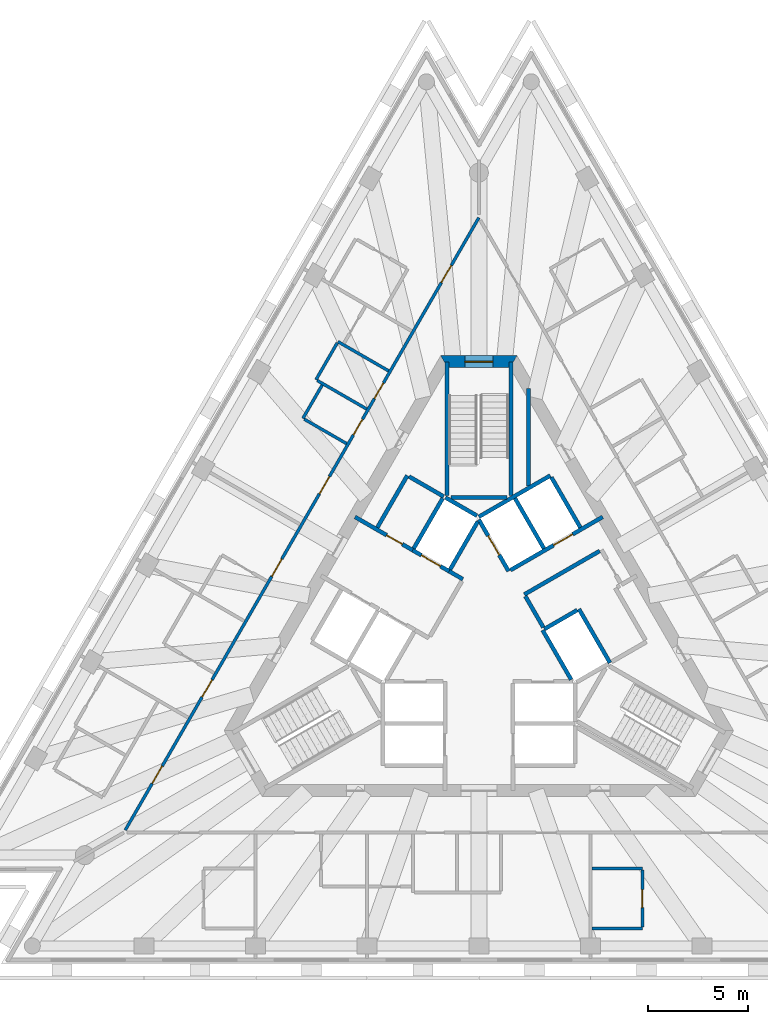
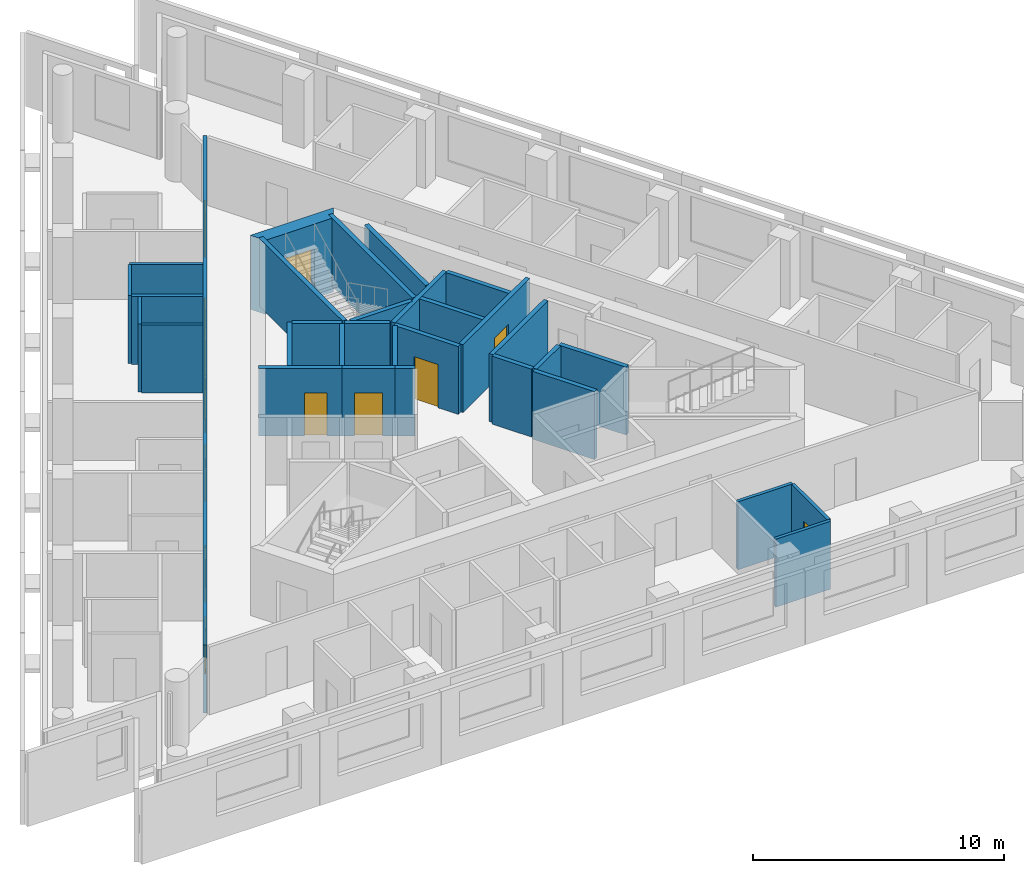
# One storey, part 5 of 10: 32 walls, 13 doors, 13 openings.
"""IFC4 building model written with IfcOpenShell, lengths in metres."""

from ifc_helpers import new_model, si_unit, direction, frame, frame_2d, origin, place, context, subcontext, project, spatial, polyline, rectangle, outline, extrude, material, layer, layer_set, type_object, element, fill, save


model = new_model("IFC4")

# Units and contexts
model_context = context("Model", 3, precision=1e-05, world=origin(), true_north=direction((0.0, 1.0)))
body_context = subcontext(model_context, "Body", "Model", "MODEL_VIEW")
ifc_project = project(units=[si_unit("LENGTHUNIT", "METRE"), si_unit("AREAUNIT", "SQUARE_METRE"), si_unit("VOLUMEUNIT", "CUBIC_METRE"), si_unit("PLANEANGLEUNIT", "RADIAN"), si_unit("MASSUNIT", "GRAM", prefix="KILO")], contexts=[model_context])

# Site, building, storey
site_placement = place(None, origin())
site = spatial("IfcSite", under=ifc_project, at=site_placement, CompositionType="ELEMENT")
building_placement = place(site_placement, origin())
building = spatial("IfcBuilding", under=site, at=building_placement, Name="Triada Interchange Tower", CompositionType="ELEMENT")
storey_placement = place(building_placement, frame((0.0, 0.0, 275.5)))
storey = spatial("IfcBuildingStorey", under=building, at=storey_placement, Name="L64", CompositionType="ELEMENT", Elevation=275.5)

# Wall
ifc_material_1 = material(Name="Concrete C30/37", Category="concrete")
ifc_layer_1 = layer(ifc_material_1, 0.199951171875)
ifc_layer_set_1 = layer_set([ifc_layer_1], Name="CORE WALL 200 EI 120")
wall_type_1 = type_object("IfcWallType", Name="CORE WALL 200 EI 120", PredefinedType="SOLIDWALL", material=ifc_layer_set_1)
wall_1_placement = place(storey_placement, frame((-0.001953125, 5.541015625, 0.0), z_axis=(0.0, 0.0, 1.0), x_axis=(0.86600155993, 0.500041296494, 0.0)))
element("IfcWall", 1, at=wall_1_placement, inside=storey, type_object=wall_type_1, Name="Wall L62 76", PredefinedType="SOLIDWALL", context=body_context, shape_type="SweptSolid", body=[
    extrude(rectangle(XDim=4.131591796875, YDim=0.199951171875, at=frame_2d((2.06591796875, 0.0))), origin(), (0.0, 0.0, 1.0), 3.300048828125),
])

# Wall, opening, door
wall_2_placement = place(storey_placement, frame((0.0, 5.39990234375, 0.0), z_axis=(0.0, 0.0, 1.0), x_axis=(0.500103862429, -0.865965430478, 0.0)))
wall_2 = element("IfcWall", 2, at=wall_2_placement, inside=storey, type_object=wall_type_1, Name="Wall L62 77", PredefinedType="SOLIDWALL", context=body_context, shape_type="SweptSolid", body=[
    extrude(rectangle(XDim=2.973388671875, YDim=0.199951171875, at=frame_2d((1.48681640625, 0.0))), origin(), (0.0, 0.0, 1.0), 3.300048828125),
])
opening_1_placement = place(wall_2_placement, frame((0.93701171875, 0.0, 0.0)))
opening_1 = element("IfcOpeningElement", 3, at=opening_1_placement, cuts=wall_2, Name="Opening LD-HR5", PredefinedType="OPENING", context=body_context, shape_type="SweptSolid", body=[
    extrude(rectangle(XDim=1.10009765625, YDim=2.10009765625, at=frame_2d((0.550048828125, 1.050048828125))), frame((0.0, 0.10986328125, 0.0), z_axis=(0.0, -1.0, 0.0), x_axis=(1.0, 0.0, 0.0)), (0.0, 0.0, 1.0), 0.219970703125),
])
ifc_material_2 = material(Name="Steel S235 door leaf", Category="steel")
door_type_1 = type_object("IfcDoorType", Name="LIFT LANDING DOOR 1100 EI 120", OperationType="SLIDING_TO_LEFT", PredefinedType="DOOR", material=ifc_material_2)
door_1_placement = place(opening_1_placement, origin())
door_1 = element("IfcDoor", 4, at=door_1_placement, inside=storey, type_object=door_type_1, Name="HR5 landing door L64", OperationType="SLIDING_TO_LEFT", OverallHeight=2.10009765625, OverallWidth=1.10009765625, PredefinedType="DOOR", context=body_context, shape_type="SweptSolid", body=[
    extrude(rectangle(XDim=1.10009765625, YDim=2.10009765625, at=frame_2d((0.550048828125, 1.050048828125))), frame((0.0, 0.02490234375, 0.0), z_axis=(0.0, -1.0, 0.0), x_axis=(1.0, 0.0, 0.0)), (0.0, 0.0, 1.0), 0.050048828125),
])
fill(opening_1, door_1)

# Wall
wall_3_placement = place(storey_placement, frame((3.18994140625, -0.125, 0.0), z_axis=(0.0, 0.0, 1.0), x_axis=(0.499988658015, -0.866031951983, 0.0)))
element("IfcWall", 5, at=wall_3_placement, inside=storey, type_object=wall_type_1, Name="Wall L62 78", PredefinedType="SOLIDWALL", context=body_context, shape_type="SweptSolid", body=[
    extrude(rectangle(XDim=2.85791015625, YDim=0.199951171875, at=frame_2d((1.428955078125, 0.0))), origin(), (0.0, 0.0, 1.0), 3.300048828125),
])

# Wall, opening, door
wall_4_placement = place(storey_placement, frame((1.577880859375, 2.8740234375, 0.0), z_axis=(0.0, 0.0, 1.0), x_axis=(0.866045911672, 0.499964477614, 0.0)))
wall_4 = element("IfcWall", 6, at=wall_4_placement, inside=storey, type_object=wall_type_1, Name="Wall L62 79", PredefinedType="SOLIDWALL", context=body_context, shape_type="SweptSolid", body=[
    extrude(rectangle(XDim=5.32666015625, YDim=0.199951171875, at=frame_2d((2.663330078125, 0.0))), origin(), (0.0, 0.0, 1.0), 3.300048828125),
])
opening_2_placement = place(wall_4_placement, frame((2.49609375, 0.0, 0.0)))
opening_2 = element("IfcOpeningElement", 7, at=opening_2_placement, cuts=wall_4, Name="Opening LD-HR6", PredefinedType="OPENING", context=body_context, shape_type="SweptSolid", body=[
    extrude(rectangle(XDim=1.10009765625, YDim=2.10009765625, at=frame_2d((0.550048828125, 1.050048828125))), frame((0.0, 0.10986328125, 0.0), z_axis=(0.0, -1.0, 0.0), x_axis=(1.0, 0.0, 0.0)), (0.0, 0.0, 1.0), 0.219970703125),
])
door_2_placement = place(opening_2_placement, origin())
door_2 = element("IfcDoor", 8, at=door_2_placement, inside=storey, type_object=door_type_1, Name="HR6 landing door L64", OperationType="SLIDING_TO_LEFT", OverallHeight=2.10009765625, OverallWidth=1.10009765625, PredefinedType="DOOR", context=body_context, shape_type="SweptSolid", body=[
    extrude(rectangle(XDim=1.10009765625, YDim=2.10009765625, at=frame_2d((0.550048828125, 1.050048828125))), frame((0.0, 0.02490234375, 0.0), z_axis=(0.0, -1.0, 0.0), x_axis=(1.0, 0.0, 0.0)), (0.0, 0.0, 1.0), 0.050048828125),
])
fill(opening_2, door_2)

# Walls
wall_5_placement = place(storey_placement, frame((1.806884765625, 6.469970703125, 0.0), z_axis=(0.0, 0.0, 1.0), x_axis=(0.50012328804, -0.865954211699, 0.0)))
element("IfcWall", 9, at=wall_5_placement, inside=storey, type_object=wall_type_1, Name="Wall L62 83", PredefinedType="SOLIDWALL", context=body_context, shape_type="SweptSolid", body=[
    extrude(rectangle(XDim=2.899658203125, YDim=0.199951171875, at=frame_2d((1.44970703125, 0.0))), origin(), (0.0, 0.0, 1.0), 3.300048828125),
])
wall_6_placement = place(storey_placement, frame((5.007080078125, 0.927978515625, 0.0), z_axis=(0.0, 0.0, 1.0), x_axis=(0.499899694197, -0.866083307622, 0.0)))
element("IfcWall", 10, at=wall_6_placement, inside=storey, type_object=wall_type_1, Name="Wall L62 84", PredefinedType="SOLIDWALL", context=body_context, shape_type="SweptSolid", body=[
    extrude(rectangle(XDim=3.100341796875, YDim=0.199951171875, at=frame_2d((1.55029296875, 0.0))), origin(), (0.0, 0.0, 1.0), 3.300048828125),
])
wall_7_placement = place(storey_placement, frame((3.6259765625, 7.52001953125, 0.0), z_axis=(0.0, 0.0, 1.0), x_axis=(0.500060147554, -0.865990674793, 0.0)))
element("IfcWall", 11, at=wall_7_placement, inside=storey, type_object=wall_type_1, Name="Wall L62 85", PredefinedType="SOLIDWALL", context=body_context, shape_type="SweptSolid", body=[
    extrude(rectangle(XDim=2.899658203125, YDim=0.199951171875, at=frame_2d((1.44970703125, 0.0))), origin(), (0.0, 0.0, 1.0), 3.300048828125),
])
wall_8_placement = place(storey_placement, frame((3.278076171875, -0.071044921875, 0.0), z_axis=(0.0, 0.0, 1.0), x_axis=(0.865784509405, 0.500417009377, 0.0)))
element("IfcWall", 12, at=wall_8_placement, inside=storey, type_object=wall_type_1, Name="Wall L62 86", PredefinedType="SOLIDWALL", context=body_context, shape_type="SweptSolid", body=[
    extrude(rectangle(XDim=1.896484375, YDim=0.199951171875, at=frame_2d((0.9482421875, 0.0))), origin(), (0.0, 0.0, 1.0), 3.300048828125),
])
wall_9_placement = place(storey_placement, frame((2.27490234375, 1.659912109375, 0.0), z_axis=(0.0, 0.0, 1.0), x_axis=(0.866013608182, 0.500020430026, 0.0)))
element("IfcWall", 13, at=wall_9_placement, inside=storey, type_object=wall_type_1, Name="Wall L62 89", PredefinedType="SOLIDWALL", context=body_context, shape_type="SweptSolid", body=[
    extrude(rectangle(XDim=4.349853515625, YDim=0.199951171875, at=frame_2d((2.1748046875, 0.0))), origin(), (0.0, 0.0, 1.0), 3.300048828125),
])
wall_10_placement = place(storey_placement, frame((2.324951171875, 1.572998046875, 0.0), z_axis=(0.0, 0.0, 1.0), x_axis=(0.500004188491, -0.866022985545, 0.0)))
element("IfcWall", 14, at=wall_10_placement, inside=storey, type_object=wall_type_1, Name="Wall L62 90", PredefinedType="SOLIDWALL", context=body_context, shape_type="SweptSolid", body=[
    extrude(rectangle(XDim=1.80029296875, YDim=0.199951171875, at=frame_2d((0.900146484375, 0.0))), origin(), (0.0, 0.0, 1.0), 3.300048828125),
])

# Wall, opening, door
ifc_layer_2 = layer(ifc_material_1, 0.199951171875)
ifc_layer_set_2 = layer_set([ifc_layer_2], Name="CORE WALL 200 EI 180")
wall_type_2 = type_object("IfcWallType", Name="CORE WALL 200 EI 180", PredefinedType="SOLIDWALL", material=ifc_layer_set_2)
wall_11_placement = place(storey_placement, frame((-6.19091796875, 5.537109375, 0.0), z_axis=(0.0, 0.0, 1.0), x_axis=(0.866052607023, -0.499952879648, 0.0)))
wall_11 = element("IfcWall", 15, at=wall_11_placement, inside=storey, type_object=wall_type_2, Name="Wall L62 94", PredefinedType="SOLIDWALL", context=body_context, shape_type="SweptSolid", body=[
    extrude(rectangle(XDim=3.332275390625, YDim=0.199951171875, at=frame_2d((1.666015625, 0.0))), origin(), (0.0, 0.0, 1.0), 3.300048828125),
])
opening_3_placement = place(wall_11_placement, frame((1.830078125, 0.0, 0.0)))
opening_3 = element("IfcOpeningElement", 16, at=opening_3_placement, cuts=wall_11, Name="Opening D62-10", PredefinedType="OPENING", context=body_context, shape_type="SweptSolid", body=[
    extrude(rectangle(XDim=0.89990234375, YDim=2.10009765625, at=frame_2d((0.449951171875, 1.050048828125))), frame((0.0, 0.10986328125, 0.0), z_axis=(0.0, -1.0, 0.0), x_axis=(1.0, 0.0, 0.0)), (0.0, 0.0, 1.0), 0.219970703125),
])
door_type_2 = type_object("IfcDoorType", Name="SERVICE DOOR 900 EI2 90-C5S200", OperationType="NOTDEFINED", PredefinedType="DOOR", material=ifc_material_2)
door_3_placement = place(opening_3_placement, origin())
door_3 = element("IfcDoor", 17, at=door_3_placement, inside=storey, type_object=door_type_2, Name="Door D62-10 L64", OperationType="SINGLE_SWING_LEFT", OverallHeight=2.10009765625, OverallWidth=0.89990234375, PredefinedType="DOOR", context=body_context, shape_type="SweptSolid", body=[
    extrude(rectangle(XDim=0.89990234375, YDim=2.10009765625, at=frame_2d((0.449951171875, 1.050048828125))), frame((0.0, 0.02490234375, 0.0), z_axis=(0.0, -1.0, 0.0), x_axis=(1.0, 0.0, 0.0)), (0.0, 0.0, 1.0), 0.050048828125),
])
fill(opening_3, door_3)

# Walls
wall_12_placement = place(storey_placement, frame((-1.488037109375, 2.822021484375, 0.0), z_axis=(0.0, 0.0, 1.0), x_axis=(0.866236612152, -0.499633997809, 0.0)))
element("IfcWall", 18, at=wall_12_placement, inside=storey, type_object=wall_type_2, Name="Wall L62 95", PredefinedType="SOLIDWALL", context=body_context, shape_type="SweptSolid", body=[
    extrude(rectangle(XDim=0.79638671875, YDim=0.199951171875, at=frame_2d((0.398193359375, 0.0))), origin(), (0.0, 0.0, 1.0), 3.300048828125),
])
wall_13_placement = place(storey_placement, frame((-5.075927734375, 5.009033203125, 0.0), z_axis=(0.0, 0.0, 1.0), x_axis=(0.50002537861, 0.866010750942, 0.0)))
element("IfcWall", 19, at=wall_13_placement, inside=storey, type_object=wall_type_2, Name="Wall L62 96", PredefinedType="SOLIDWALL", context=body_context, shape_type="SweptSolid", body=[
    extrude(rectangle(XDim=2.999755859375, YDim=0.199951171875, at=frame_2d((1.5, 0.0))), origin(), (0.0, 0.0, 1.0), 3.300048828125),
])
wall_14_placement = place(storey_placement, frame((-3.489013671875, 7.556884765625, 0.0), z_axis=(0.0, 0.0, 1.0), x_axis=(0.866010750942, -0.50002537861, 0.0)))
element("IfcWall", 20, at=wall_14_placement, inside=storey, type_object=wall_type_2, Name="Wall L62 97", PredefinedType="SOLIDWALL", context=body_context, shape_type="SweptSolid", body=[
    extrude(rectangle(XDim=2.0, YDim=0.199951171875, at=frame_2d((1.0, 0.0))), origin(), (0.0, 0.0, 1.0), 3.300048828125),
])

# Wall, opening, door
wall_15_placement = place(storey_placement, frame((-3.30908203125, 3.873046875, 0.0), z_axis=(0.0, 0.0, 1.0), x_axis=(0.866098583652, -0.499873227325, 0.0)))
wall_15 = element("IfcWall", 21, at=wall_15_placement, inside=storey, type_object=wall_type_2, Name="Shaft wall FF2 L62 103", PredefinedType="SOLIDWALL", context=body_context, shape_type="SweptSolid", body=[
    extrude(rectangle(XDim=2.1025390625, YDim=0.199951171875, at=frame_2d((1.05126953125, 0.0))), origin(), (0.0, 0.0, 1.0), 3.300048828125),
])
opening_4_placement = place(wall_15_placement, frame((0.501953125, 0.0, 0.0)))
opening_4 = element("IfcOpeningElement", 22, at=opening_4_placement, cuts=wall_15, Name="Opening LD-FF2", PredefinedType="OPENING", context=body_context, shape_type="SweptSolid", body=[
    extrude(rectangle(XDim=1.10009765625, YDim=2.10009765625, at=frame_2d((0.550048828125, 1.050048828125))), frame((0.0, 0.10986328125, 0.0), z_axis=(0.0, -1.0, 0.0), x_axis=(1.0, 0.0, 0.0)), (0.0, 0.0, 1.0), 0.219970703125),
])
door_4_placement = place(opening_4_placement, origin())
door_4 = element("IfcDoor", 23, at=door_4_placement, inside=storey, type_object=door_type_1, Name="FF2 landing door L64", OperationType="SLIDING_TO_LEFT", OverallHeight=2.10009765625, OverallWidth=1.10009765625, PredefinedType="DOOR", context=body_context, shape_type="SweptSolid", body=[
    extrude(rectangle(XDim=1.10009765625, YDim=2.10009765625, at=frame_2d((0.550048828125, 1.050048828125))), frame((0.0, 0.02490234375, 0.0), z_axis=(0.0, -1.0, 0.0), x_axis=(1.0, 0.0, 0.0)), (0.0, 0.0, 1.0), 0.050048828125),
])
fill(opening_4, door_4)

# Walls
wall_16_placement = place(storey_placement, frame((-3.257080078125, 3.958984375, 0.0), z_axis=(0.0, 0.0, 1.0), x_axis=(0.50012328804, 0.865954211699, 0.0)))
element("IfcWall", 24, at=wall_16_placement, inside=storey, type_object=wall_type_2, Name="Shaft wall FF2 L62 104", PredefinedType="SOLIDWALL", context=body_context, shape_type="SweptSolid", body=[
    extrude(rectangle(XDim=2.899658203125, YDim=0.199951171875, at=frame_2d((1.44970703125, 0.0))), origin(), (0.0, 0.0, 1.0), 3.300048828125),
])
wall_17_placement = place(storey_placement, frame((-1.669921875, 6.507080078125, 0.0), z_axis=(0.0, 0.0, 1.0), x_axis=(0.865941441609, -0.500145398563, 0.0)))
element("IfcWall", 25, at=wall_17_placement, inside=storey, type_object=wall_type_2, Name="Shaft wall FF2 L62 105", PredefinedType="SOLIDWALL", context=body_context, shape_type="SweptSolid", body=[
    extrude(rectangle(XDim=1.8154296875, YDim=0.199951171875, at=frame_2d((0.90771484375, 0.0))), origin(), (0.0, 0.0, 1.0), 3.300048828125),
])
wall_18_placement = place(storey_placement, frame((-1.43798828125, 2.908935546875, 0.0), z_axis=(0.0, 0.0, 1.0), x_axis=(0.499829630636, 0.866123744241, 0.0)))
element("IfcWall", 26, at=wall_18_placement, inside=storey, type_object=wall_type_2, Name="Shaft wall FF2 L62 106", PredefinedType="SOLIDWALL", context=body_context, shape_type="SweptSolid", body=[
    extrude(rectangle(XDim=2.7607421875, YDim=0.199951171875, at=frame_2d((1.38037109375, 0.0))), origin(), (0.0, 0.0, 1.0), 3.300048828125),
])
ifc_layer_3 = layer(ifc_material_1, 0.199951171875)
ifc_layer_set_3 = layer_set([ifc_layer_3], Name="CORE WALL 200 EI 90")
wall_type_3 = type_object("IfcWallType", Name="CORE WALL 200 EI 90", PredefinedType="SOLIDWALL", material=ifc_layer_set_3)
wall_19_placement = place(storey_placement, frame((2.48291015625, 7.092041015625, 0.0), z_axis=(0.0, 0.0, 1.0), x_axis=(0.0, 1.0, 0.0)))
element("IfcWall", 27, at=wall_19_placement, inside=storey, type_object=wall_type_3, Name="Wall L62 107", PredefinedType="SOLIDWALL", context=body_context, shape_type="SweptSolid", body=[
    extrude(rectangle(XDim=4.866943359375, YDim=0.199951171875, at=frame_2d((2.43359375, 0.0))), origin(), (0.0, 0.0, 1.0), 3.300048828125),
])
ifc_layer_4 = layer(ifc_material_1, 0.199951171875)
ifc_layer_set_4 = layer_set([ifc_layer_4], Name="CORE WALL 200 REI 240")
wall_type_4 = type_object("IfcWallType", Name="CORE WALL 200 REI 240", PredefinedType="SOLIDWALL", material=ifc_layer_set_4)
wall_20_placement = place(storey_placement, frame((1.60009765625, 6.614990234375, 0.0), z_axis=(0.0, 0.0, 1.0), x_axis=(0.0, 1.0, 0.0)))
element("IfcWall", 28, at=wall_20_placement, inside=storey, type_object=wall_type_4, Name="Wall L62 115", PredefinedType="SOLIDWALL", context=body_context, shape_type="SweptSolid", body=[
    extrude(rectangle(XDim=6.6650390625, YDim=0.199951171875, at=frame_2d((3.33251953125, 0.0))), origin(), (0.0, 0.0, 1.0), 3.300048828125),
])
wall_21_placement = place(storey_placement, frame((-1.39990234375, 6.5, 0.0), z_axis=(0.0, 0.0, 1.0), x_axis=(1.0, 0.0, 0.0)))
element("IfcWall", 29, at=wall_21_placement, inside=storey, type_object=wall_type_4, Name="Wall L62 116", PredefinedType="SOLIDWALL", context=body_context, shape_type="SweptSolid", body=[
    extrude(rectangle(XDim=2.7998046875, YDim=0.199951171875, at=frame_2d((1.39990234375, 0.0))), origin(), (0.0, 0.0, 1.0), 3.300048828125),
])
wall_22_placement = place(storey_placement, frame((-1.60009765625, 6.614990234375, 0.0), z_axis=(0.0, 0.0, 1.0), x_axis=(0.0, 1.0, 0.0)))
element("IfcWall", 30, at=wall_22_placement, inside=storey, type_object=wall_type_4, Name="Wall L62 117", PredefinedType="SOLIDWALL", context=body_context, shape_type="SweptSolid", body=[
    extrude(rectangle(XDim=6.6650390625, YDim=0.199951171875, at=frame_2d((3.33251953125, 0.0))), origin(), (0.0, 0.0, 1.0), 3.300048828125),
])

# Wall, opening, door
ifc_material_3 = material(Name="Concrete C40/50", Category="concrete")
ifc_layer_5 = layer(ifc_material_3, 0.60009765625)
ifc_layer_set_5 = layer_set([ifc_layer_5], Name="Core wall D 600")
wall_type_5 = type_object("IfcWallType", Name="Core wall D 600", PredefinedType="SHEAR", material=ifc_layer_set_5)
wall_23_placement = place(storey_placement, frame((1.73193359375, 13.300048828125, -0.300048828125), z_axis=(0.0, 0.0, 1.0), x_axis=(-1.0, 0.0, 0.0)))
wall_23 = element("IfcWall", 31, at=wall_23_placement, inside=storey, type_object=wall_type_5, Name="Core wall WD01 L64", PredefinedType="SHEAR", context=body_context, shape_type="SweptSolid", body=[
    extrude(outline(polyline([(-0.173095703125, -0.300048828125), (1.73193359375, -0.300048828125), (3.636962890625, -0.300048828125), (3.291015625, 0.300048828125), (1.73193359375, 0.300048828125), (0.173095703125, 0.300048828125), (-0.173095703125, -0.300048828125)])), origin(), (0.0, 0.0, 1.0), 3.60009765625),
])
opening_5_placement = place(wall_23_placement, frame((1.031982421875, 0.0, 0.300048828125)))
opening_5 = element("IfcOpeningElement", 32, at=opening_5_placement, cuts=wall_23, Name="Opening D62-48", PredefinedType="OPENING", context=body_context, shape_type="SweptSolid", body=[
    extrude(rectangle(XDim=1.39990234375, YDim=2.10009765625, at=frame_2d((0.699951171875, 1.050048828125))), frame((0.0, 0.31005859375, 0.0), z_axis=(0.0, -1.0, 0.0), x_axis=(1.0, 0.0, 0.0)), (0.0, 0.0, 1.0), 0.6201171875),
])
door_type_3 = type_object("IfcDoorType", Name="STAIR DOOR 1400 EI2 90-C5S200", OperationType="DOUBLE_DOOR_SINGLE_SWING", PredefinedType="DOOR", material=ifc_material_2)
door_5_placement = place(opening_5_placement, origin())
door_5 = element("IfcDoor", 33, at=door_5_placement, inside=storey, type_object=door_type_3, Name="Door D62-48 L64", OperationType="DOUBLE_DOOR_SINGLE_SWING", OverallHeight=2.10009765625, OverallWidth=1.39990234375, PredefinedType="DOOR", context=body_context, shape_type="SweptSolid", body=[
    extrude(rectangle(XDim=1.39990234375, YDim=2.10009765625, at=frame_2d((0.699951171875, 1.050048828125))), frame((0.0, 0.02490234375, 0.0), z_axis=(0.0, -1.0, 0.0), x_axis=(1.0, 0.0, 0.0)), (0.0, 0.0, 1.0), 0.050048828125),
])
fill(opening_5, door_5)

# Wall, openings, doors
ifc_material_4 = material(Name="Gypsum board partition")
ifc_layer_6 = layer(ifc_material_4, 0.14990234375)
ifc_layer_set_6 = layer_set([ifc_layer_6], Name="PARTITION 150 EI 180")
wall_type_6 = type_object("IfcWallType", Name="PARTITION 150 EI 180", PredefinedType="PARTITIONING", material=ifc_layer_set_6)
wall_24_placement = place(storey_placement, frame((-17.677978515625, -10.1201171875, 0.0), z_axis=(0.0, 0.0, 1.0), x_axis=(0.49998824015, 0.86603219323, 0.0)))
wall_24 = element("IfcWall", 34, at=wall_24_placement, inside=storey, type_object=wall_type_6, Name="Wall L62 4", PredefinedType="PARTITIONING", context=body_context, shape_type="SweptSolid", body=[
    extrude(rectangle(XDim=35.356689453125, YDim=0.14990234375, at=frame_2d((17.67822265625, 0.0))), origin(), (0.0, 0.0, 1.0), 3.300048828125),
])
opening_6_placement = place(wall_24_placement, frame((31.60693359375, 0.0, 0.0)))
opening_6 = element("IfcOpeningElement", 35, at=opening_6_placement, cuts=wall_24, Name="Opening D62-34", PredefinedType="OPENING", context=body_context, shape_type="SweptSolid", body=[
    extrude(rectangle(XDim=1.0, YDim=2.10009765625, at=frame_2d((0.5, 1.050048828125))), frame((0.0, 0.0849609375, 0.0), z_axis=(0.0, -1.0, 0.0), x_axis=(1.0, 0.0, 0.0)), (0.0, 0.0, 1.0), 0.169921875),
])
opening_7_placement = place(wall_24_placement, frame((19.416015625, 0.0, 0.0)))
opening_7 = element("IfcOpeningElement", 36, at=opening_7_placement, cuts=wall_24, Name="Opening D62-36", PredefinedType="OPENING", context=body_context, shape_type="SweptSolid", body=[
    extrude(rectangle(XDim=1.0, YDim=2.10009765625, at=frame_2d((0.5, 1.050048828125))), frame((0.0, 0.0849609375, 0.0), z_axis=(0.0, -1.0, 0.0), x_axis=(1.0, 0.0, 0.0)), (0.0, 0.0, 1.0), 0.169921875),
])
opening_8_placement = place(wall_24_placement, frame((24.916015625, 0.0, 0.0)))
opening_8 = element("IfcOpeningElement", 37, at=opening_8_placement, cuts=wall_24, Name="Opening D62-38", PredefinedType="OPENING", context=body_context, shape_type="SweptSolid", body=[
    extrude(rectangle(XDim=0.89990234375, YDim=2.10009765625, at=frame_2d((0.449951171875, 1.050048828125))), frame((0.0, 0.0849609375, 0.0), z_axis=(0.0, -1.0, 0.0), x_axis=(1.0, 0.0, 0.0)), (0.0, 0.0, 1.0), 0.169921875),
])
opening_9_placement = place(wall_24_placement, frame((22.81591796875, 0.0, 0.0)))
opening_9 = element("IfcOpeningElement", 38, at=opening_9_placement, cuts=wall_24, Name="Opening D62-39", PredefinedType="OPENING", context=body_context, shape_type="SweptSolid", body=[
    extrude(rectangle(XDim=0.89990234375, YDim=2.10009765625, at=frame_2d((0.449951171875, 1.050048828125))), frame((0.0, 0.0849609375, 0.0), z_axis=(0.0, -1.0, 0.0), x_axis=(1.0, 0.0, 0.0)), (0.0, 0.0, 1.0), 0.169921875),
])
opening_10_placement = place(wall_24_placement, frame((14.654052734375, 0.0, 0.0)))
opening_10 = element("IfcOpeningElement", 39, at=opening_10_placement, cuts=wall_24, Name="Opening D62-40", PredefinedType="OPENING", context=body_context, shape_type="SweptSolid", body=[
    extrude(rectangle(XDim=1.0, YDim=2.10009765625, at=frame_2d((0.5, 1.050048828125))), frame((0.0, 0.0849609375, 0.0), z_axis=(0.0, -1.0, 0.0), x_axis=(1.0, 0.0, 0.0)), (0.0, 0.0, 1.0), 0.169921875),
])
opening_11_placement = place(wall_24_placement, frame((7.672119140625, 0.0, 0.0)))
opening_11 = element("IfcOpeningElement", 40, at=opening_11_placement, cuts=wall_24, Name="Opening D62-42", PredefinedType="OPENING", context=body_context, shape_type="SweptSolid", body=[
    extrude(rectangle(XDim=1.0, YDim=2.10009765625, at=frame_2d((0.5, 1.050048828125))), frame((0.0, 0.0849609375, 0.0), z_axis=(0.0, -1.0, 0.0), x_axis=(1.0, 0.0, 0.0)), (0.0, 0.0, 1.0), 0.169921875),
])
opening_12_placement = place(wall_24_placement, frame((2.68994140625, 0.0, 0.0)))
opening_12 = element("IfcOpeningElement", 41, at=opening_12_placement, cuts=wall_24, Name="Opening D62-44", PredefinedType="OPENING", context=body_context, shape_type="SweptSolid", body=[
    extrude(rectangle(XDim=1.0, YDim=2.10009765625, at=frame_2d((0.5, 1.050048828125))), frame((0.0, 0.0849609375, 0.0), z_axis=(0.0, -1.0, 0.0), x_axis=(1.0, 0.0, 0.0)), (0.0, 0.0, 1.0), 0.169921875),
])
door_type_4 = type_object("IfcDoorType", Name="GUEST ROOM DOOR 1000 EI2 90-C5S200", OperationType="NOTDEFINED", PredefinedType="DOOR", material=ifc_material_2)
door_6_placement = place(opening_6_placement, origin())
door_6 = element("IfcDoor", 42, at=door_6_placement, inside=storey, type_object=door_type_4, Name="Door D62-34 L64", OperationType="SINGLE_SWING_RIGHT", OverallHeight=2.10009765625, OverallWidth=1.0, PredefinedType="DOOR", context=body_context, shape_type="SweptSolid", body=[
    extrude(rectangle(XDim=1.0, YDim=2.10009765625, at=frame_2d((0.5, 1.050048828125))), frame((0.0, 0.02490234375, 0.0), z_axis=(0.0, -1.0, 0.0), x_axis=(1.0, 0.0, 0.0)), (0.0, 0.0, 1.0), 0.050048828125),
])
fill(opening_6, door_6)
door_7_placement = place(opening_7_placement, origin())
door_7 = element("IfcDoor", 43, at=door_7_placement, inside=storey, type_object=door_type_4, Name="Door D62-36 L64", OperationType="SINGLE_SWING_RIGHT", OverallHeight=2.10009765625, OverallWidth=1.0, PredefinedType="DOOR", context=body_context, shape_type="SweptSolid", body=[
    extrude(rectangle(XDim=1.0, YDim=2.10009765625, at=frame_2d((0.5, 1.050048828125))), frame((0.0, 0.02490234375, 0.0), z_axis=(0.0, -1.0, 0.0), x_axis=(1.0, 0.0, 0.0)), (0.0, 0.0, 1.0), 0.050048828125),
])
fill(opening_7, door_7)
door_8_placement = place(opening_10_placement, origin())
door_8 = element("IfcDoor", 44, at=door_8_placement, inside=storey, type_object=door_type_4, Name="Door D62-40 L64", OperationType="SINGLE_SWING_RIGHT", OverallHeight=2.10009765625, OverallWidth=1.0, PredefinedType="DOOR", context=body_context, shape_type="SweptSolid", body=[
    extrude(rectangle(XDim=1.0, YDim=2.10009765625, at=frame_2d((0.5, 1.050048828125))), frame((0.0, 0.02490234375, 0.0), z_axis=(0.0, -1.0, 0.0), x_axis=(1.0, 0.0, 0.0)), (0.0, 0.0, 1.0), 0.050048828125),
])
fill(opening_10, door_8)
door_9_placement = place(opening_11_placement, origin())
door_9 = element("IfcDoor", 45, at=door_9_placement, inside=storey, type_object=door_type_4, Name="Door D62-42 L64", OperationType="SINGLE_SWING_LEFT", OverallHeight=2.10009765625, OverallWidth=1.0, PredefinedType="DOOR", context=body_context, shape_type="SweptSolid", body=[
    extrude(rectangle(XDim=1.0, YDim=2.10009765625, at=frame_2d((0.5, 1.050048828125))), frame((0.0, 0.02490234375, 0.0), z_axis=(0.0, -1.0, 0.0), x_axis=(1.0, 0.0, 0.0)), (0.0, 0.0, 1.0), 0.050048828125),
])
fill(opening_11, door_9)
door_10_placement = place(opening_12_placement, origin())
door_10 = element("IfcDoor", 46, at=door_10_placement, inside=storey, type_object=door_type_4, Name="Door D62-44 L64", OperationType="SINGLE_SWING_LEFT", OverallHeight=2.10009765625, OverallWidth=1.0, PredefinedType="DOOR", context=body_context, shape_type="SweptSolid", body=[
    extrude(rectangle(XDim=1.0, YDim=2.10009765625, at=frame_2d((0.5, 1.050048828125))), frame((0.0, 0.02490234375, 0.0), z_axis=(0.0, -1.0, 0.0), x_axis=(1.0, 0.0, 0.0)), (0.0, 0.0, 1.0), 0.050048828125),
])
fill(opening_12, door_10)
door_type_5 = type_object("IfcDoorType", Name="ROOM DOOR 900 EI2 90-C5S200", OperationType="NOTDEFINED", PredefinedType="DOOR", material=ifc_material_2)
door_11_placement = place(opening_9_placement, origin())
door_11 = element("IfcDoor", 47, at=door_11_placement, inside=storey, type_object=door_type_5, Name="Door D62-39 L64", OperationType="SINGLE_SWING_RIGHT", OverallHeight=2.10009765625, OverallWidth=0.89990234375, PredefinedType="DOOR", context=body_context, shape_type="SweptSolid", body=[
    extrude(rectangle(XDim=0.89990234375, YDim=2.10009765625, at=frame_2d((0.449951171875, 1.050048828125))), frame((0.0, 0.02490234375, 0.0), z_axis=(0.0, -1.0, 0.0), x_axis=(1.0, 0.0, 0.0)), (0.0, 0.0, 1.0), 0.050048828125),
])
fill(opening_9, door_11)
door_12_placement = place(opening_8_placement, origin())
door_12 = element("IfcDoor", 48, at=door_12_placement, inside=storey, type_object=door_type_2, Name="Door D62-38 L64", OperationType="SINGLE_SWING_RIGHT", OverallHeight=2.10009765625, OverallWidth=0.89990234375, PredefinedType="DOOR", context=body_context, shape_type="SweptSolid", body=[
    extrude(rectangle(XDim=0.89990234375, YDim=2.10009765625, at=frame_2d((0.449951171875, 1.050048828125))), frame((0.0, 0.02490234375, 0.0), z_axis=(0.0, -1.0, 0.0), x_axis=(1.0, 0.0, 0.0)), (0.0, 0.0, 1.0), 0.050048828125),
])
fill(opening_8, door_12)

# Walls
wall_25_placement = place(storey_placement, frame((-7.04296875, 14.301025390625, 0.0), z_axis=(0.0, 0.0, 1.0), x_axis=(0.865917290158, -0.500187211558, 0.0)))
element("IfcWall", 49, at=wall_25_placement, inside=storey, type_object=wall_type_6, Name="Wall L62 11", PredefinedType="PARTITIONING", context=body_context, shape_type="SweptSolid", body=[
    extrude(rectangle(XDim=2.92529296875, YDim=0.14990234375, at=frame_2d((1.462646484375, 0.0))), origin(), (0.0, 0.0, 1.0), 3.300048828125),
])
wall_26_placement = place(storey_placement, frame((-8.14306640625, 12.39501953125, 0.0), z_axis=(0.0, 0.0, 1.0), x_axis=(0.499672732084, 0.866214269573, 0.0)))
element("IfcWall", 50, at=wall_26_placement, inside=storey, type_object=wall_type_6, Name="Wall L62 12", PredefinedType="PARTITIONING", context=body_context, shape_type="SweptSolid", body=[
    extrude(rectangle(XDim=2.12548828125, YDim=0.14990234375, at=frame_2d((1.062744140625, 0.0))), origin(), (0.0, 0.0, 1.0), 3.300048828125),
])
wall_27_placement = place(storey_placement, frame((-8.077880859375, 12.35791015625, 0.0), z_axis=(0.0, 0.0, 1.0), x_axis=(0.866020080793, -0.500009219579, 0.0)))
element("IfcWall", 51, at=wall_27_placement, inside=storey, type_object=wall_type_6, Name="Wall L62 13", PredefinedType="PARTITIONING", context=body_context, shape_type="SweptSolid", body=[
    extrude(rectangle(XDim=2.849609375, YDim=0.14990234375, at=frame_2d((1.4248046875, 0.0))), origin(), (0.0, 0.0, 1.0), 3.300048828125),
])
wall_28_placement = place(storey_placement, frame((-8.797119140625, 10.462890625, 0.0), z_axis=(0.0, 0.0, 1.0), x_axis=(0.500271259635, 0.865868735308, 0.0)))
element("IfcWall", 52, at=wall_28_placement, inside=storey, type_object=wall_type_6, Name="Wall L62 14", PredefinedType="PARTITIONING", context=body_context, shape_type="SweptSolid", body=[
    extrude(rectangle(XDim=1.92529296875, YDim=0.14990234375, at=frame_2d((0.962646484375, 0.0))), origin(), (0.0, 0.0, 1.0), 3.300048828125),
])
wall_29_placement = place(storey_placement, frame((-8.73193359375, 10.426025390625, 0.0), z_axis=(0.0, 0.0, 1.0), x_axis=(0.866014668023, -0.500018594424, 0.0)))
element("IfcWall", 53, at=wall_29_placement, inside=storey, type_object=wall_type_6, Name="Wall L62 15", PredefinedType="PARTITIONING", context=body_context, shape_type="SweptSolid", body=[
    extrude(rectangle(XDim=2.4501953125, YDim=0.14990234375, at=frame_2d((1.22509765625, 0.0))), origin(), (0.0, 0.0, 1.0), 3.300048828125),
])
ifc_layer_7 = layer(ifc_material_4, 0.14990234375)
ifc_layer_set_7 = layer_set([ifc_layer_7], Name="PARTITION 150 EI 90")
wall_type_7 = type_object("IfcWallType", Name="PARTITION 150 EI 90", PredefinedType="PARTITIONING", material=ifc_layer_set_7)
for number, where, z_axis, x_axis, name in (
    (54, (5.656005859375, -12.050048828125, 0.0), (0.0, 0.0, 1.0), (1.0, 0.0, 0.0), "Wall L62 44"),
    (55, (5.656005859375, -15.050048828125, 0.0), (0.0, 0.0, 1.0), (1.0, 0.0, 0.0), "Wall L62 47"),
):
    element("IfcWall", number, at=place(storey_placement, frame(where, z_axis=z_axis, x_axis=x_axis)), inside=storey, type_object=wall_type_7, Name=name, PredefinedType="PARTITIONING", context=body_context, shape_type="SweptSolid", body=[
        extrude(rectangle(XDim=2.52490234375, YDim=0.14990234375, at=frame_2d((1.262451171875, 0.0))), origin(), (0.0, 0.0, 1.0), 3.300048828125),
    ])

# Wall, opening, door
wall_30_placement = place(storey_placement, frame((8.180908203125, -14.97509765625, 0.0), z_axis=(0.0, 0.0, 1.0), x_axis=(0.0, 1.0, 0.0)))
wall_30 = element("IfcWall", 56, at=wall_30_placement, inside=storey, type_object=wall_type_7, Name="Wall L62 57", PredefinedType="PARTITIONING", context=body_context, shape_type="SweptSolid", body=[
    extrude(rectangle(XDim=2.85009765625, YDim=0.14990234375, at=frame_2d((1.425048828125, 0.0))), origin(), (0.0, 0.0, 1.0), 3.300048828125),
])
opening_13_placement = place(wall_30_placement, frame((0.97509765625, 0.0, 0.0)))
opening_13 = element("IfcOpeningElement", 57, at=opening_13_placement, cuts=wall_30, Name="Opening D62-20", PredefinedType="OPENING", context=body_context, shape_type="SweptSolid", body=[
    extrude(rectangle(XDim=0.89990234375, YDim=2.10009765625, at=frame_2d((0.449951171875, 1.050048828125))), frame((0.0, 0.0849609375, 0.0), z_axis=(0.0, -1.0, 0.0), x_axis=(1.0, 0.0, 0.0)), (0.0, 0.0, 1.0), 0.169921875),
])
door_type_6 = type_object("IfcDoorType", Name="ROOM DOOR 900 EI2 45-C5S200", OperationType="NOTDEFINED", PredefinedType="DOOR", material=ifc_material_2)
door_13_placement = place(opening_13_placement, origin())
door_13 = element("IfcDoor", 58, at=door_13_placement, inside=storey, type_object=door_type_6, Name="Door D62-20 L64", OperationType="SINGLE_SWING_LEFT", OverallHeight=2.10009765625, OverallWidth=0.89990234375, PredefinedType="DOOR", context=body_context, shape_type="SweptSolid", body=[
    extrude(rectangle(XDim=0.89990234375, YDim=2.10009765625, at=frame_2d((0.449951171875, 1.050048828125))), frame((0.0, 0.02490234375, 0.0), z_axis=(0.0, -1.0, 0.0), x_axis=(1.0, 0.0, 0.0)), (0.0, 0.0, 1.0), 0.050048828125),
])
fill(opening_13, door_13)

save(model, "model.ifc")
